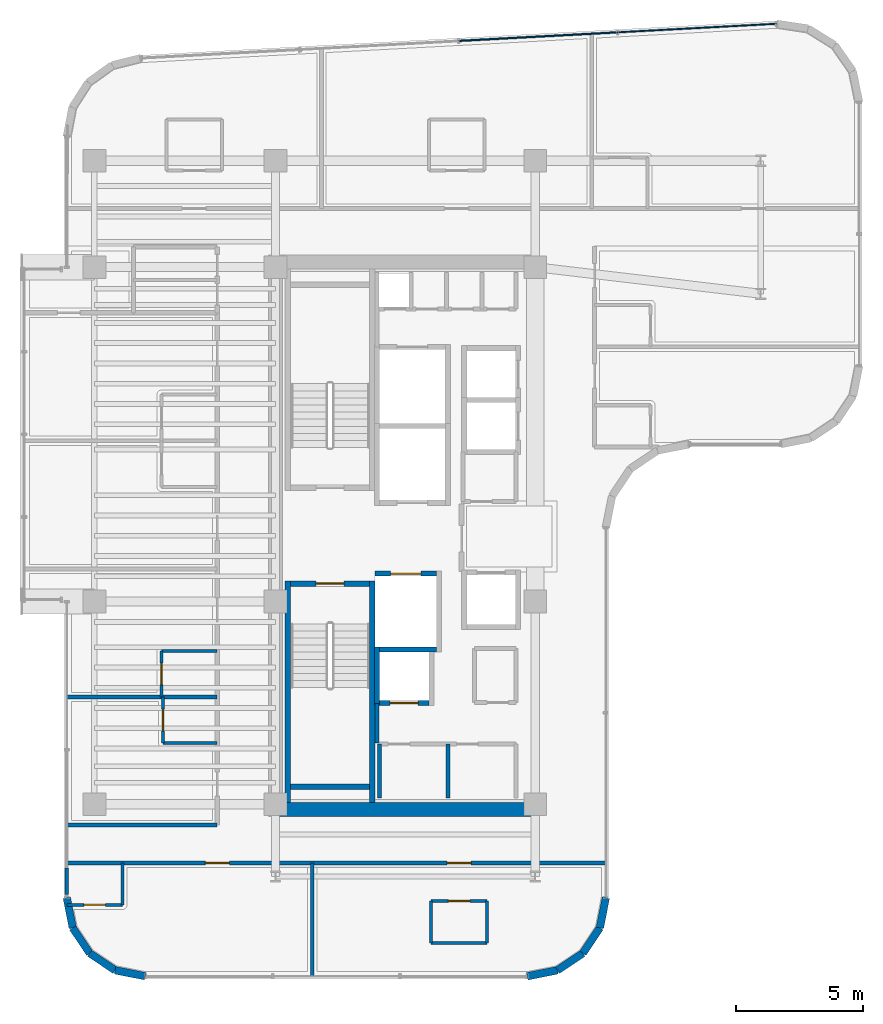
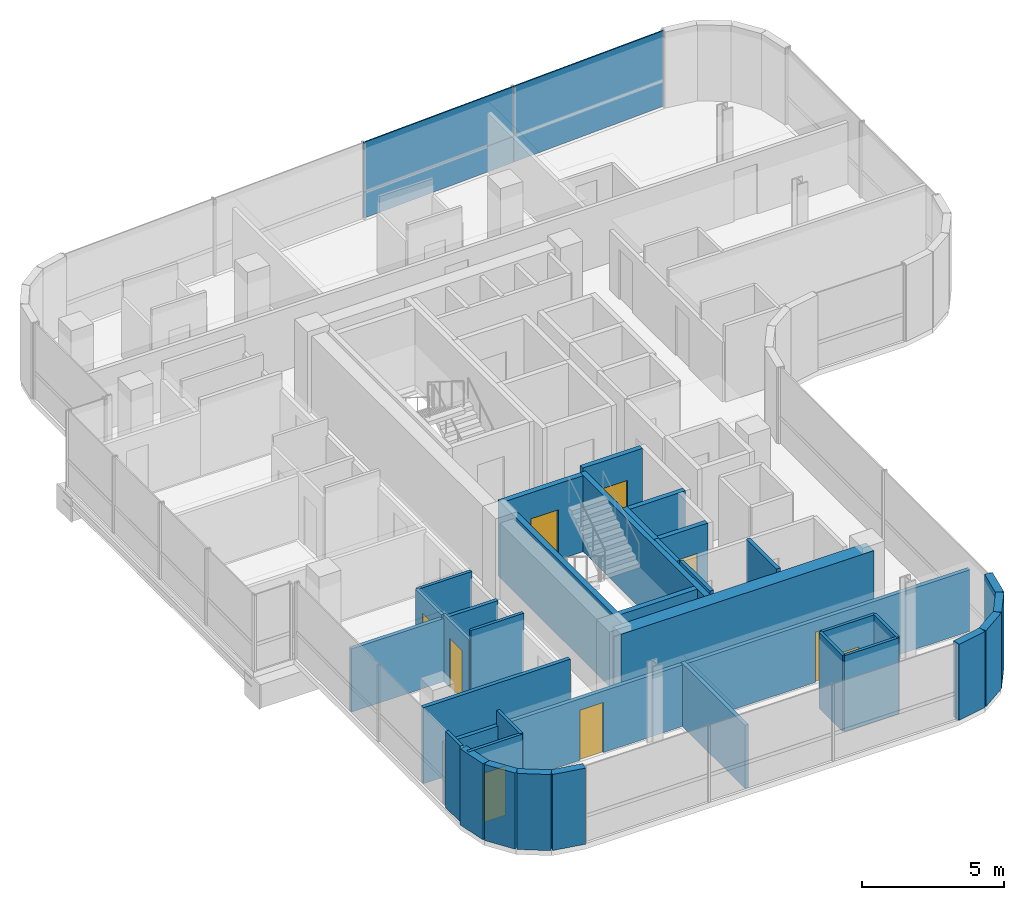
# One storey, part 16 of 22: 35 walls, 9 doors, 3 plates, 9 openings, 1 element without a shape of its own.
"""IFC4 building model written with IfcOpenShell, lengths in metres."""

from ifc_helpers import new_model, si_unit, direction, frame, frame_2d, origin, origin_2d, place, context, subcontext, project, spatial, rectangle, extrude, source, transform, mapped, material, layer, layer_set, type_object, element, fill, aggregate, save


model = new_model("IFC4")

# Units and contexts
model_context = context("Model", 3, precision=1e-05, world=origin(), true_north=direction((0.0, 1.0)))
body_context = subcontext(model_context, "Body", "Model", "MODEL_VIEW")
ifc_project = project(units=[si_unit("LENGTHUNIT", "METRE"), si_unit("AREAUNIT", "SQUARE_METRE"), si_unit("VOLUMEUNIT", "CUBIC_METRE"), si_unit("PLANEANGLEUNIT", "RADIAN"), si_unit("MASSUNIT", "GRAM", prefix="KILO")], contexts=[model_context])

# Site, building, storey
site_placement = place(None, origin())
site = spatial("IfcSite", under=ifc_project, at=site_placement, CompositionType="ELEMENT")
building_placement = place(site_placement, origin())
building = spatial("IfcBuilding", under=site, at=building_placement, Name="Valdorenza Pilgrim Sanctuary Tower", CompositionType="ELEMENT")
storey_placement = place(building_placement, frame((0.0, 0.0, 216.0)))
storey = spatial("IfcBuildingStorey", under=building, at=storey_placement, Name="L55", CompositionType="ELEMENT", Elevation=216.0)

# Curtain wall, plates
ifc_material_1 = material(Name="Curtain-wall IGU glazing", Category="glass")
curtain_wall_type = type_object("IfcCurtainWallType", Name="CW-SYS-02", PredefinedType="NOTDEFINED", material=ifc_material_1)
curtain_wall_placement = place(storey_placement, origin())
curtain_wall = element("IfcCurtainWall", 1, at=curtain_wall_placement, inside=storey, type_object=curtain_wall_type, Name="L55 Curtain Wall CW-L55-1-6", PredefinedType="NOTDEFINED")
ifc_material_2 = material(Name="Honed travertine limestone", Category="masonry")
ifc_layer_1 = layer(ifc_material_2, 0.050048828125, Name="Honed travertine limestone")
ifc_layer_set_1 = layer_set([ifc_layer_1], Name="Honed travertine limestone")
plate_type_1 = type_object("IfcPlateType", Name="CW-SPN-TRV", PredefinedType="USERDEFINED", material=ifc_layer_set_1)
shared_shape_1 = source(origin(), body_context, "Body", "SweptSolid", [
    extrude(rectangle(XDim=6.2587890625, YDim=0.06005859375, at=origin_2d()), origin(), (0.0, 0.0, 1.0), 1.10009765625),
])
plate_1_placement = place(storey_placement, frame((-12.281982421875, 19.699951171875, 0.010009765625), z_axis=(0.0, 0.0, 1.0), x_axis=(0.998547034311, 0.053887106711, 0.0)))
plate_1 = element("IfcPlate", 2, at=plate_1_placement, type_object=plate_type_1, Name="CW-L55-1-6 Travertine Spandrel 3", ObjectType="SPANDREL", PredefinedType="USERDEFINED", context=body_context, shape_type="MappedRepresentation", body=[
    mapped(shared_shape_1, transform((0.0, 0.0, 0.0), x_axis=(1.0, 0.0, 0.0), y_axis=(0.0, 1.0, 0.0), z_axis=(0.0, 0.0, 1.0), scale=1.0)),
])
ifc_material_3 = material(Name="Ceramic-fritted low-E IGU glazing", Category="glass")
ifc_layer_2 = layer(ifc_material_3, 0.035888671875, Name="Ceramic-fritted low-E IGU glazing")
ifc_layer_set_2 = layer_set([ifc_layer_2], Name="Ceramic-fritted low-E IGU glazing")
plate_type_2 = type_object("IfcPlateType", Name="CW-GLZ-IGU", PredefinedType="USERDEFINED", material=ifc_layer_set_2)
shared_shape_2 = source(origin(), body_context, "Body", "SweptSolid", [
    extrude(rectangle(XDim=6.2587890625, YDim=0.050048828125, at=origin_2d()), origin(), (0.0, 0.0, 1.0), 2.1201171875),
])
plate_2_placement = place(storey_placement, frame((-12.281982421875, 19.699951171875, 1.1298828125), z_axis=(0.0, 0.0, 1.0), x_axis=(0.998547034311, 0.053887106711, 0.0)))
plate_2 = element("IfcPlate", 3, at=plate_2_placement, type_object=plate_type_2, Name="CW-L55-1-6 Facade Panel 3", ObjectType="GLAZING", PredefinedType="USERDEFINED", context=body_context, shape_type="MappedRepresentation", body=[
    mapped(shared_shape_2, transform((0.0, 0.0, 0.0), x_axis=(1.0, 0.0, 0.0), y_axis=(0.0, 1.0, 0.0), z_axis=(0.0, 0.0, 1.0), scale=1.0)),
])
shared_shape_3 = source(origin(), body_context, "Body", "SweptSolid", [
    extrude(rectangle(XDim=6.2587890625, YDim=0.050048828125, at=origin_2d()), origin(), (0.0, 0.0, 1.0), 3.239990234375),
])
plate_3_placement = place(storey_placement, frame((-6.012451171875, 20.038330078125, 0.009765625), z_axis=(0.0, 0.0, 1.0), x_axis=(0.998547034311, 0.053887106711, 0.0)))
plate_3 = element("IfcPlate", 4, at=plate_3_placement, type_object=plate_type_2, Name="CW-L55-1-6 Full-Height Facade Panel 4", ObjectType="GLAZING", PredefinedType="USERDEFINED", context=body_context, shape_type="MappedRepresentation", body=[
    mapped(shared_shape_3, transform((0.0, 0.0, 0.0), x_axis=(1.0, 0.0, 0.0), y_axis=(0.0, 1.0, 0.0), z_axis=(0.0, 0.0, 1.0), scale=1.0)),
])
aggregate(curtain_wall, [plate_1, plate_2, plate_3])

# Walls
ifc_material_4 = material(Name="Acoustic twin-stud gypsum partition", Category="gypsum")
ifc_layer_3 = layer(ifc_material_4, 0.159912109375, Name="Acoustic twin-stud gypsum partition")
ifc_layer_set_3 = layer_set([ifc_layer_3], Name="Acoustic twin-stud gypsum partition")
wall_type_1 = type_object("IfcWallType", Name="WAL-COR-160", PredefinedType="PARTITIONING", material=ifc_layer_set_3)
wall_1_placement = place(storey_placement, frame((-18.64990234375, -8.179931640625, 0.0), z_axis=(0.0, 0.0, 1.0), x_axis=(0.0, 1.0, 0.0)))
element("IfcWall", 5, at=wall_1_placement, inside=storey, type_object=wall_type_1, Name="L55 Core A South Lift Hall West Wall", PredefinedType="PARTITIONING", context=body_context, shape_type="SweptSolid", body=[
    extrude(rectangle(XDim=1.559814453125, YDim=0.159912109375, at=frame_2d((0.77978515625, 0.0))), origin(), (0.0, 0.0, 1.0), 3.260009765625),
])
wall_2_placement = place(storey_placement, frame((-15.85009765625, -10.35009765625, 0.0), z_axis=(0.0, 0.0, 1.0), x_axis=(0.0, 1.0, 0.0)))
element("IfcWall", 6, at=wall_2_placement, inside=storey, type_object=wall_type_1, Name="L55 Freed Shaft 1 Split Wall", PredefinedType="PARTITIONING", context=body_context, shape_type="SweptSolid", body=[
    extrude(rectangle(XDim=2.130126953125, YDim=0.159912109375, at=frame_2d((1.06494140625, 0.0))), origin(), (0.0, 0.0, 1.0), 3.260009765625),
])

# Wall, openings, doors
wall_3_placement = place(storey_placement, frame((-30.889892578125, -12.919921875, 0.0), z_axis=(0.0, 0.0, 1.0), x_axis=(1.0, 0.0, 0.0)))
wall_3 = element("IfcWall", 7, at=wall_3_placement, inside=storey, type_object=wall_type_1, Name="L55 South Wing Corridor Wall", PredefinedType="PARTITIONING", context=body_context, shape_type="SweptSolid", body=[
    extrude(rectangle(XDim=21.27978515625, YDim=0.159912109375, at=frame_2d((10.639892578125, 0.0))), origin(), (0.0, 0.0, 1.0), 2.634033203125),
])
opening_1_placement = place(wall_3_placement, frame((5.469970703125, 0.0, 0.0)))
opening_1 = element("IfcOpeningElement", 8, at=opening_1_placement, cuts=wall_3, Name="Opening DR-UN1", PredefinedType="OPENING", context=body_context, shape_type="SweptSolid", body=[
    extrude(rectangle(XDim=0.949951171875, YDim=2.14990234375, at=frame_2d((0.47509765625, 1.074951171875))), frame((0.0, 0.0947265625, 0.0), z_axis=(0.0, -1.0, 0.0), x_axis=(1.0, 0.0, 0.0)), (0.0, 0.0, 1.0), 0.189697265625),
])
opening_2_placement = place(wall_3_placement, frame((15.010009765625, 0.0, 0.0)))
opening_2 = element("IfcOpeningElement", 9, at=opening_2_placement, cuts=wall_3, Name="Opening DR-UN1", PredefinedType="OPENING", context=body_context, shape_type="SweptSolid", body=[
    extrude(rectangle(XDim=0.949951171875, YDim=2.14990234375, at=frame_2d((0.47509765625, 1.074951171875))), frame((0.0, 0.0947265625, 0.0), z_axis=(0.0, -1.0, 0.0), x_axis=(1.0, 0.0, 0.0)), (0.0, 0.0, 1.0), 0.189697265625),
])
ifc_material_5 = material(Name="Solid-core European oak timber", Category="wood")
door_type_1 = type_object("IfcDoorType", Name="DR-UNIT-950", OperationType="NOTDEFINED", PredefinedType="DOOR", material=ifc_material_5)
door_1_placement = place(opening_1_placement, origin())
door_1 = element("IfcDoor", 10, at=door_1_placement, inside=storey, type_object=door_type_1, Name="L55 South Guest Room L55-S1 Entrance Door", OperationType="SINGLE_SWING_RIGHT", OverallHeight=2.14990234375, OverallWidth=0.949951171875, PredefinedType="DOOR", context=body_context, shape_type="SweptSolid", body=[
    extrude(rectangle(XDim=0.949951171875, YDim=2.14990234375, at=frame_2d((0.47509765625, 1.074951171875))), frame((0.0, 0.02490234375, 0.0), z_axis=(0.0, -1.0, 0.0), x_axis=(1.0, 0.0, 0.0)), (0.0, 0.0, 1.0), 0.050048828125),
])
fill(opening_1, door_1)
door_2_placement = place(opening_2_placement, origin())
door_2 = element("IfcDoor", 11, at=door_2_placement, inside=storey, type_object=door_type_1, Name="L55 South Guest Room L55-S2 Entrance Door", OperationType="SINGLE_SWING_RIGHT", OverallHeight=2.14990234375, OverallWidth=0.949951171875, PredefinedType="DOOR", context=body_context, shape_type="SweptSolid", body=[
    extrude(rectangle(XDim=0.949951171875, YDim=2.14990234375, at=frame_2d((0.47509765625, 1.074951171875))), frame((0.0, 0.02490234375, 0.0), z_axis=(0.0, -1.0, 0.0), x_axis=(1.0, 0.0, 0.0)), (0.0, 0.0, 1.0), 0.050048828125),
])
fill(opening_2, door_2)

# Walls
wall_4_placement = place(storey_placement, frame((-30.889892578125, -11.419921875, 0.0), z_axis=(0.0, 0.0, 1.0), x_axis=(1.0, 0.0, 0.0)))
element("IfcWall", 12, at=wall_4_placement, inside=storey, type_object=wall_type_1, Name="L55 South-West Corridor North Wall", PredefinedType="PARTITIONING", context=body_context, shape_type="SweptSolid", body=[
    extrude(rectangle(XDim=5.93994140625, YDim=0.159912109375, at=frame_2d((2.969970703125, 0.0))), origin(), (0.0, 0.0, 1.0), 3.260009765625),
])
ifc_material_6 = material(Name="Concrete C50/60", Category="concrete")
ifc_layer_4 = layer(ifc_material_6, 0.550048828125, Name="Concrete C50/60")
ifc_layer_set_4 = layer_set([ifc_layer_4], Name="Concrete C50/60")
wall_type_2 = type_object("IfcWallType", Name="WAL-COR-550", PredefinedType="SHEAR", material=ifc_layer_set_4)
wall_5_placement = place(storey_placement, frame((-22.64990234375, -10.800048828125, 0.0), z_axis=(0.0, 0.0, 1.0), x_axis=(1.0, 0.0, 0.0)))
element("IfcWall", 13, at=wall_5_placement, inside=storey, type_object=wall_type_2, Name="L55 Split Core A Shear Wall S", PredefinedType="SHEAR", context=body_context, shape_type="SweptSolid", body=[
    extrude(rectangle(XDim=10.25, YDim=0.550048828125, at=frame_2d((5.125, 0.0))), origin(), (0.0, 0.0, 1.0), 3.260009765625),
])
ifc_layer_5 = layer(ifc_material_2, 0.300048828125, Name="Honed travertine limestone")
ifc_layer_set_5 = layer_set([ifc_layer_5], Name="Honed travertine limestone")
wall_type_3 = type_object("IfcWallType", Name="WAL-EXT-300", PredefinedType="SOLIDWALL", material=ifc_layer_set_5)
wall_6_placement = place(storey_placement, frame((-9.610107421875, -14.289306640625, 0.0), z_axis=(0.0, 0.0, 1.0), x_axis=(-0.194996050505, -0.980804027463, 0.0)))
element("IfcWall", 14, at=wall_6_placement, inside=storey, type_object=wall_type_3, Name="L55 Rounded Wind-Corner Stone Pier 22", PredefinedType="SOLIDWALL", context=body_context, shape_type="SweptSolid", body=[
    extrude(rectangle(XDim=1.2158203125, YDim=0.300048828125, at=frame_2d((0.60791015625, 0.0))), origin(), (0.0, 0.0, 1.0), 3.260009765625),
])
for number, where, z_axis, x_axis, name in (
    (15, (-9.84716796875, -15.481689453125, 0.0), (0.0, 0.0, 1.0), (-0.555635100982, -0.831426265255, 0.0), "L55 Rounded Wind-Corner Stone Pier 23"),
    (16, (-10.5166015625, -16.4833984375, 0.0), (0.0, 0.0, 1.0), (-0.831426265255, -0.555635100982, 0.0), "L55 Rounded Wind-Corner Stone Pier 24"),
):
    element("IfcWall", number, at=place(storey_placement, frame(where, z_axis=z_axis, x_axis=x_axis)), inside=storey, type_object=wall_type_3, Name=name, PredefinedType="SOLIDWALL", context=body_context, shape_type="SweptSolid", body=[
        extrude(rectangle(XDim=1.204833984375, YDim=0.300048828125, at=frame_2d((0.6025390625, 0.0))), origin(), (0.0, 0.0, 1.0), 3.260009765625),
    ])
for number, where, z_axis, x_axis, name in (
    (17, (-11.518310546875, -17.15283203125, 0.0), (0.0, 0.0, 1.0), (-0.980804027463, -0.194996050505, 0.0), "L55 Rounded Wind-Corner Stone Pier 25"),
    (18, (-27.789306640625, -17.389892578125, 0.0), (0.0, 0.0, 1.0), (-0.980804027463, 0.194996050505, 0.0), "L55 Rounded Wind-Corner Stone Pier 27"),
):
    element("IfcWall", number, at=place(storey_placement, frame(where, z_axis=z_axis, x_axis=x_axis)), inside=storey, type_object=wall_type_3, Name=name, PredefinedType="SOLIDWALL", context=body_context, shape_type="SweptSolid", body=[
        extrude(rectangle(XDim=1.2158203125, YDim=0.300048828125, at=frame_2d((0.60791015625, 0.0))), origin(), (0.0, 0.0, 1.0), 3.260009765625),
    ])
for number, where, z_axis, x_axis, name in (
    (19, (-28.981689453125, -17.15283203125, 0.0), (0.0, 0.0, 1.0), (-0.831426265255, 0.555635100982, 0.0), "L55 Rounded Wind-Corner Stone Pier 28"),
    (20, (-29.9833984375, -16.4833984375, 0.0), (0.0, 0.0, 1.0), (-0.555635100982, 0.831426265255, 0.0), "L55 Rounded Wind-Corner Stone Pier 29"),
):
    element("IfcWall", number, at=place(storey_placement, frame(where, z_axis=z_axis, x_axis=x_axis)), inside=storey, type_object=wall_type_3, Name=name, PredefinedType="SOLIDWALL", context=body_context, shape_type="SweptSolid", body=[
        extrude(rectangle(XDim=1.204833984375, YDim=0.300048828125, at=frame_2d((0.6025390625, 0.0))), origin(), (0.0, 0.0, 1.0), 3.260009765625),
    ])
wall_7_placement = place(storey_placement, frame((-30.65283203125, -15.481689453125, 0.0), z_axis=(0.0, 0.0, 1.0), x_axis=(-0.194996050505, 0.980804027463, 0.0)))
element("IfcWall", 21, at=wall_7_placement, inside=storey, type_object=wall_type_3, Name="L55 Rounded Wind-Corner Stone Pier 30", PredefinedType="SOLIDWALL", context=body_context, shape_type="SweptSolid", body=[
    extrude(rectangle(XDim=1.2158203125, YDim=0.300048828125, at=frame_2d((0.60791015625, 0.0))), origin(), (0.0, 0.0, 1.0), 3.260009765625),
])
ifc_material_7 = material(Name="Moisture-resistant gypsum partition", Category="gypsum")
ifc_layer_6 = layer(ifc_material_7, 0.1201171875, Name="Moisture-resistant gypsum partition")
ifc_layer_set_6 = layer_set([ifc_layer_6], Name="Moisture-resistant gypsum partition")
wall_type_4 = type_object("IfcWallType", Name="WAL-INT-120", PredefinedType="PARTITIONING", material=ifc_layer_set_6)
wall_8_placement = place(storey_placement, frame((-27.087890625, -8.18505859375, 0.0), z_axis=(0.0, 0.0, 1.0), x_axis=(1.0, 0.0, 0.0)))
element("IfcWall", 22, at=wall_8_placement, inside=storey, type_object=wall_type_4, Name="L55 Pilgrim Guest Room L55-W1 En-suite South Wall", PredefinedType="PARTITIONING", context=body_context, shape_type="SweptSolid", body=[
    extrude(rectangle(XDim=2.137939453125, YDim=0.1201171875, at=frame_2d((1.06884765625, 0.0))), origin(), (0.0, 0.0, 1.0), 3.260009765625),
])

# Wall, opening, door
wall_9_placement = place(storey_placement, frame((-27.087890625, -8.18505859375, 0.0), z_axis=(0.0, 0.0, 1.0), x_axis=(0.0, 1.0, 0.0)))
wall_9 = element("IfcWall", 23, at=wall_9_placement, inside=storey, type_object=wall_type_4, Name="L55 Pilgrim Guest Room L55-W1 En-suite Door Wall", PredefinedType="PARTITIONING", context=body_context, shape_type="SweptSolid", body=[
    extrude(rectangle(XDim=1.820068359375, YDim=0.1201171875, at=frame_2d((0.91015625, 0.0))), origin(), (0.0, 0.0, 1.0), 2.839111328125),
])
opening_3_placement = place(wall_9_placement, frame((0.485107421875, 0.0, 0.0)))
opening_3 = element("IfcOpeningElement", 24, at=opening_3_placement, cuts=wall_9, Name="Opening DR-WC1", PredefinedType="OPENING", context=body_context, shape_type="SweptSolid", body=[
    extrude(rectangle(XDim=0.85009765625, YDim=2.10009765625, at=frame_2d((0.425048828125, 1.050048828125))), frame((0.0, 0.074951171875, 0.0), z_axis=(0.0, -1.0, 0.0), x_axis=(1.0, 0.0, 0.0)), (0.0, 0.0, 1.0), 0.14990234375),
])
ifc_material_8 = material(Name="Moisture-resistant lacquered timber", Category="wood")
door_type_2 = type_object("IfcDoorType", Name="DR-BATH-850", OperationType="NOTDEFINED", PredefinedType="DOOR", material=ifc_material_8)
door_3_placement = place(opening_3_placement, origin())
door_3 = element("IfcDoor", 25, at=door_3_placement, inside=storey, type_object=door_type_2, Name="L55 Pilgrim Guest Room L55-W1 En-suite Bathroom Door", OperationType="SINGLE_SWING_LEFT", OverallHeight=2.10009765625, OverallWidth=0.85009765625, PredefinedType="DOOR", context=body_context, shape_type="SweptSolid", body=[
    extrude(rectangle(XDim=0.85009765625, YDim=2.10009765625, at=frame_2d((0.425048828125, 1.050048828125))), frame((0.0, 0.02490234375, 0.0), z_axis=(0.0, -1.0, 0.0), x_axis=(1.0, 0.0, 0.0)), (0.0, 0.0, 1.0), 0.050048828125),
])
fill(opening_3, door_3)

# Wall
wall_10_placement = place(storey_placement, frame((-27.14990234375, -4.544921875, 0.0), z_axis=(0.0, 0.0, 1.0), x_axis=(1.0, 0.0, 0.0)))
element("IfcWall", 26, at=wall_10_placement, inside=storey, type_object=wall_type_4, Name="L55 Pilgrim Guest Room L55-W2 En-suite North Wall", PredefinedType="PARTITIONING", context=body_context, shape_type="SweptSolid", body=[
    extrude(rectangle(XDim=2.199951171875, YDim=0.1201171875, at=frame_2d((1.10009765625, 0.0))), origin(), (0.0, 0.0, 1.0), 2.839111328125),
])

# Wall, opening, door
wall_11_placement = place(storey_placement, frame((-27.14990234375, -6.364990234375, 0.0), z_axis=(0.0, 0.0, 1.0), x_axis=(0.0, 1.0, 0.0)))
wall_11 = element("IfcWall", 27, at=wall_11_placement, inside=storey, type_object=wall_type_4, Name="L55 Pilgrim Guest Room L55-W2 En-suite Door Wall", PredefinedType="PARTITIONING", context=body_context, shape_type="SweptSolid", body=[
    extrude(rectangle(XDim=1.820068359375, YDim=0.1201171875, at=frame_2d((0.91015625, 0.0))), origin(), (0.0, 0.0, 1.0), 2.839111328125),
])
opening_4_placement = place(wall_11_placement, frame((0.485107421875, 0.0, 0.0)))
opening_4 = element("IfcOpeningElement", 28, at=opening_4_placement, cuts=wall_11, Name="Opening DR-WC1", PredefinedType="OPENING", context=body_context, shape_type="SweptSolid", body=[
    extrude(rectangle(XDim=0.85009765625, YDim=2.10009765625, at=frame_2d((0.425048828125, 1.050048828125))), frame((0.0, 0.074951171875, 0.0), z_axis=(0.0, -1.0, 0.0), x_axis=(1.0, 0.0, 0.0)), (0.0, 0.0, 1.0), 0.14990234375),
])
door_4_placement = place(opening_4_placement, origin())
door_4 = element("IfcDoor", 29, at=door_4_placement, inside=storey, type_object=door_type_2, Name="L55 Pilgrim Guest Room L55-W2 En-suite Bathroom Door", OperationType="SINGLE_SWING_LEFT", OverallHeight=2.10009765625, OverallWidth=0.85009765625, PredefinedType="DOOR", context=body_context, shape_type="SweptSolid", body=[
    extrude(rectangle(XDim=0.85009765625, YDim=2.10009765625, at=frame_2d((0.425048828125, 1.050048828125))), frame((0.0, 0.02490234375, 0.0), z_axis=(0.0, -1.0, 0.0), x_axis=(1.0, 0.0, 0.0)), (0.0, 0.0, 1.0), 0.050048828125),
])
fill(opening_4, door_4)

# Wall
wall_12_placement = place(storey_placement, frame((-28.68994140625, -14.570068359375, 0.0), z_axis=(0.0, 0.0, 1.0), x_axis=(0.0, 1.0, 0.0)))
element("IfcWall", 30, at=wall_12_placement, inside=storey, type_object=wall_type_4, Name="L55 South Guest Room L55-S1 En-suite East Wall", PredefinedType="PARTITIONING", context=body_context, shape_type="SweptSolid", body=[
    extrude(rectangle(XDim=1.650146484375, YDim=0.1201171875, at=frame_2d((0.8251953125, 0.0))), origin(), (0.0, 0.0, 1.0), 3.260009765625),
])

# Wall, opening, door
wall_13_placement = place(storey_placement, frame((-30.889892578125, -14.570068359375, 0.0), z_axis=(0.0, 0.0, 1.0), x_axis=(1.0, 0.0, 0.0)))
wall_13 = element("IfcWall", 31, at=wall_13_placement, inside=storey, type_object=wall_type_4, Name="L55 South Guest Room L55-S1 En-suite Door Wall", PredefinedType="PARTITIONING", context=body_context, shape_type="SweptSolid", body=[
    extrude(rectangle(XDim=2.199951171875, YDim=0.1201171875, at=frame_2d((1.10009765625, 0.0))), origin(), (0.0, 0.0, 1.0), 3.260009765625),
])
opening_5_placement = place(wall_13_placement, frame((0.675048828125, 0.0, 0.0)))
opening_5 = element("IfcOpeningElement", 32, at=opening_5_placement, cuts=wall_13, Name="Opening DR-WC1", PredefinedType="OPENING", context=body_context, shape_type="SweptSolid", body=[
    extrude(rectangle(XDim=0.85009765625, YDim=2.10009765625, at=frame_2d((0.425048828125, 1.050048828125))), frame((0.0, 0.074951171875, 0.0), z_axis=(0.0, -1.0, 0.0), x_axis=(1.0, 0.0, 0.0)), (0.0, 0.0, 1.0), 0.14990234375),
])
door_5_placement = place(opening_5_placement, origin())
door_5 = element("IfcDoor", 33, at=door_5_placement, inside=storey, type_object=door_type_2, Name="L55 South Guest Room L55-S1 En-suite Bathroom Door", OperationType="SINGLE_SWING_LEFT", OverallHeight=2.10009765625, OverallWidth=0.85009765625, PredefinedType="DOOR", context=body_context, shape_type="SweptSolid", body=[
    extrude(rectangle(XDim=0.85009765625, YDim=2.10009765625, at=frame_2d((0.425048828125, 1.050048828125))), frame((0.0, 0.02490234375, 0.0), z_axis=(0.0, -1.0, 0.0), x_axis=(1.0, 0.0, 0.0)), (0.0, 0.0, 1.0), 0.050048828125),
])
fill(opening_5, door_5)

# Walls
wall_14_placement = place(storey_placement, frame((-30.889892578125, -14.166748046875, 0.0), z_axis=(0.0, 0.0, 1.0), x_axis=(0.0, 1.0, 0.0)))
element("IfcWall", 34, at=wall_14_placement, inside=storey, type_object=wall_type_4, Name="L55 SW-G1-ENS Enclosure Wall W", PredefinedType="PARTITIONING", context=body_context, shape_type="SweptSolid", body=[
    extrude(rectangle(XDim=1.046630859375, YDim=0.1201171875, at=frame_2d((0.5234375, 0.0))), origin(), (0.0, 0.0, 1.0), 3.260009765625),
])
for number, where, z_axis, x_axis, name in (
    (35, (-16.5048828125, -16.070068359375, 0.0), (0.0, 0.0, 1.0), (0.0, 1.0, 0.0), "L55 South Guest Room L55-S2 En-suite West Wall"),
    (36, (-14.304931640625, -16.070068359375, 0.0), (0.0, 0.0, 1.0), (0.0, 1.0, 0.0), "L55 South Guest Room L55-S2 En-suite East Wall"),
):
    element("IfcWall", number, at=place(storey_placement, frame(where, z_axis=z_axis, x_axis=x_axis)), inside=storey, type_object=wall_type_4, Name=name, PredefinedType="PARTITIONING", context=body_context, shape_type="SweptSolid", body=[
        extrude(rectangle(XDim=1.650146484375, YDim=0.1201171875, at=frame_2d((0.8251953125, 0.0))), origin(), (0.0, 0.0, 1.0), 3.260009765625),
    ])
wall_15_placement = place(storey_placement, frame((-16.5048828125, -16.070068359375, 0.0), z_axis=(0.0, 0.0, 1.0), x_axis=(1.0, 0.0, 0.0)))
element("IfcWall", 37, at=wall_15_placement, inside=storey, type_object=wall_type_4, Name="L55 South Guest Room L55-S2 En-suite Back Wall", PredefinedType="PARTITIONING", context=body_context, shape_type="SweptSolid", body=[
    extrude(rectangle(XDim=2.199951171875, YDim=0.1201171875, at=frame_2d((1.10009765625, 0.0))), origin(), (0.0, 0.0, 1.0), 3.260009765625),
])

# Wall, opening, door
wall_16_placement = place(storey_placement, frame((-16.5048828125, -14.419921875, 0.0), z_axis=(0.0, 0.0, 1.0), x_axis=(1.0, 0.0, 0.0)))
wall_16 = element("IfcWall", 38, at=wall_16_placement, inside=storey, type_object=wall_type_4, Name="L55 South Guest Room L55-S2 En-suite Door Wall", PredefinedType="PARTITIONING", context=body_context, shape_type="SweptSolid", body=[
    extrude(rectangle(XDim=2.199951171875, YDim=0.1201171875, at=frame_2d((1.10009765625, 0.0))), origin(), (0.0, 0.0, 1.0), 3.260009765625),
])
opening_6_placement = place(wall_16_placement, frame((0.675048828125, 0.0, 0.0)))
opening_6 = element("IfcOpeningElement", 39, at=opening_6_placement, cuts=wall_16, Name="Opening DR-WC1", PredefinedType="OPENING", context=body_context, shape_type="SweptSolid", body=[
    extrude(rectangle(XDim=0.85009765625, YDim=2.10009765625, at=frame_2d((0.425048828125, 1.050048828125))), frame((0.0, 0.074951171875, 0.0), z_axis=(0.0, -1.0, 0.0), x_axis=(1.0, 0.0, 0.0)), (0.0, 0.0, 1.0), 0.14990234375),
])
door_6_placement = place(opening_6_placement, origin())
door_6 = element("IfcDoor", 40, at=door_6_placement, inside=storey, type_object=door_type_2, Name="L55 South Guest Room L55-S2 En-suite Bathroom Door", OperationType="SINGLE_SWING_LEFT", OverallHeight=2.10009765625, OverallWidth=0.85009765625, PredefinedType="DOOR", context=body_context, shape_type="SweptSolid", body=[
    extrude(rectangle(XDim=0.85009765625, YDim=2.10009765625, at=frame_2d((0.425048828125, 1.050048828125))), frame((0.0, 0.02490234375, 0.0), z_axis=(0.0, -1.0, 0.0), x_axis=(1.0, 0.0, 0.0)), (0.0, 0.0, 1.0), 0.050048828125),
])
fill(opening_6, door_6)

# Wall
ifc_material_9 = material(Name="Autoclaved aerated concrete blockwork", Category="masonry")
ifc_layer_7 = layer(ifc_material_9, 0.199951171875, Name="Autoclaved aerated concrete blockwork")
ifc_layer_set_7 = layer_set([ifc_layer_7], Name="Autoclaved aerated concrete blockwork")
wall_type_5 = type_object("IfcWallType", Name="WAL-SHF-200", PredefinedType="MOVABLE", material=ifc_layer_set_7)
wall_17_placement = place(storey_placement, frame((-18.719970703125, -4.5, 0.0), z_axis=(0.0, 0.0, 1.0), x_axis=(1.0, 0.0, 0.0)))
element("IfcWall", 41, at=wall_17_placement, inside=storey, type_object=wall_type_5, Name="L55 Lift FFL-02 Hoistway Wall South", PredefinedType="MOVABLE", context=body_context, shape_type="SweptSolid", body=[
    extrude(rectangle(XDim=2.419921875, YDim=0.199951171875, at=frame_2d((1.2099609375, 0.0))), origin(), (0.0, 0.0, 1.0), 3.260009765625),
])

# Wall, opening, door
wall_18_placement = place(storey_placement, frame((-18.719970703125, -1.5, 0.0), z_axis=(0.0, 0.0, 1.0), x_axis=(1.0, 0.0, 0.0)))
wall_18 = element("IfcWall", 42, at=wall_18_placement, inside=storey, type_object=wall_type_5, Name="L55 Lift FFL-02 Hoistway Wall North", PredefinedType="MOVABLE", context=body_context, shape_type="SweptSolid", body=[
    extrude(rectangle(XDim=2.419921875, YDim=0.199951171875, at=frame_2d((1.2099609375, 0.0))), origin(), (0.0, 0.0, 1.0), 3.260009765625),
])
opening_7_placement = place(wall_18_placement, frame((0.610107421875, 0.0, 0.0)))
opening_7 = element("IfcOpeningElement", 43, at=opening_7_placement, cuts=wall_18, Name="Opening LD-02", PredefinedType="OPENING", context=body_context, shape_type="SweptSolid", body=[
    extrude(rectangle(XDim=1.199951171875, YDim=2.10009765625, at=frame_2d((0.60009765625, 1.050048828125))), frame((0.0, 0.11474609375, 0.0), z_axis=(0.0, -1.0, 0.0), x_axis=(1.0, 0.0, 0.0)), (0.0, 0.0, 1.0), 0.229736328125),
])
ifc_material_10 = material(Name="Brushed stainless steel Grade 316", Category="steel")
door_type_3 = type_object("IfcDoorType", Name="DR-LFT-1200", OperationType="DOUBLE_DOOR_SLIDING", PredefinedType="DOOR", material=ifc_material_10)
door_7_placement = place(opening_7_placement, origin())
door_7 = element("IfcDoor", 44, at=door_7_placement, inside=storey, type_object=door_type_3, Name="L55 Lift FFL-02 Sliding Landing Door", OperationType="DOUBLE_DOOR_SLIDING", OverallHeight=2.10009765625, OverallWidth=1.199951171875, PredefinedType="DOOR", context=body_context, shape_type="SweptSolid", body=[
    extrude(rectangle(XDim=1.199951171875, YDim=2.10009765625, at=frame_2d((0.60009765625, 1.050048828125))), frame((0.0, 0.02490234375, 0.0), z_axis=(0.0, -1.0, 0.0), x_axis=(1.0, 0.0, 0.0)), (0.0, 0.0, 1.0), 0.050048828125),
])
fill(opening_7, door_7)

# Wall
wall_19_placement = place(storey_placement, frame((-18.64990234375, -6.699951171875, 0.0), z_axis=(0.0, 0.0, 1.0), x_axis=(0.0, 1.0, 0.0)))
element("IfcWall", 45, at=wall_19_placement, inside=storey, type_object=wall_type_5, Name="L55 Lift PL-11 Hoistway Wall West", PredefinedType="MOVABLE", context=body_context, shape_type="SweptSolid", body=[
    extrude(rectangle(XDim=2.300048828125, YDim=0.199951171875, at=frame_2d((1.14990234375, 0.0))), origin(), (0.0, 0.0, 1.0), 3.260009765625),
])

# Wall, opening, door
wall_20_placement = place(storey_placement, frame((-18.550048828125, -6.60009765625, 0.0), z_axis=(0.0, 0.0, 1.0), x_axis=(1.0, 0.0, 0.0)))
wall_20 = element("IfcWall", 46, at=wall_20_placement, inside=storey, type_object=wall_type_5, Name="L55 Lift PL-11 Hoistway Wall South", PredefinedType="MOVABLE", context=body_context, shape_type="SweptSolid", body=[
    extrude(rectangle(XDim=1.949951171875, YDim=0.199951171875, at=frame_2d((0.97509765625, 0.0))), origin(), (0.0, 0.0, 1.0), 3.260009765625),
])
opening_8_placement = place(wall_20_placement, frame((0.425048828125, 0.0, 0.0)))
opening_8 = element("IfcOpeningElement", 47, at=opening_8_placement, cuts=wall_20, Name="Opening LD-01", PredefinedType="OPENING", context=body_context, shape_type="SweptSolid", body=[
    extrude(rectangle(XDim=1.10009765625, YDim=2.10009765625, at=frame_2d((0.550048828125, 1.050048828125))), frame((0.0, 0.11474609375, 0.0), z_axis=(0.0, -1.0, 0.0), x_axis=(1.0, 0.0, 0.0)), (0.0, 0.0, 1.0), 0.229736328125),
])
door_type_4 = type_object("IfcDoorType", Name="DR-LFT-1100", OperationType="DOUBLE_DOOR_SLIDING", PredefinedType="DOOR", material=ifc_material_10)
door_8_placement = place(opening_8_placement, origin())
door_8 = element("IfcDoor", 48, at=door_8_placement, inside=storey, type_object=door_type_4, Name="L55 Lift PL-11 Sliding Landing Door", OperationType="DOUBLE_DOOR_SLIDING", OverallHeight=2.10009765625, OverallWidth=1.10009765625, PredefinedType="DOOR", context=body_context, shape_type="SweptSolid", body=[
    extrude(rectangle(XDim=1.10009765625, YDim=2.10009765625, at=frame_2d((0.550048828125, 1.050048828125))), frame((0.0, 0.02490234375, 0.0), z_axis=(0.0, -1.0, 0.0), x_axis=(1.0, 0.0, 0.0)), (0.0, 0.0, 1.0), 0.050048828125),
])
fill(opening_8, door_8)

# Walls
ifc_material_11 = material(Name="Concrete C40/50", Category="concrete")
ifc_layer_8 = layer(ifc_material_11, 0.219970703125, Name="Concrete C40/50")
ifc_layer_set_8 = layer_set([ifc_layer_8], Name="Concrete C40/50")
wall_type_6 = type_object("IfcWallType", Name="WAL-STR-SHF-220", PredefinedType="SHEAR", material=ifc_layer_set_8)
for number, where, z_axis, x_axis, name in (
    (49, (-22.159912109375, -10.52490234375, 0.0), (0.0, 0.0, 1.0), (0.0, 1.0, 0.0), "L55 ST-A2 Structural Stairwell Wall W"),
    (50, (-18.830078125, -10.52490234375, 0.0), (0.0, 0.0, 1.0), (0.0, 1.0, 0.0), "L55 ST-A2 Structural Stairwell Wall E"),
):
    element("IfcWall", number, at=place(storey_placement, frame(where, z_axis=z_axis, x_axis=x_axis)), inside=storey, type_object=wall_type_6, Name=name, PredefinedType="SHEAR", context=body_context, shape_type="SweptSolid", body=[
        extrude(rectangle(XDim=8.744873046875, YDim=0.219970703125, at=frame_2d((4.37255859375, 0.0))), origin(), (0.0, 0.0, 1.0), 3.260009765625),
    ])
wall_21_placement = place(storey_placement, frame((-22.050048828125, -9.909912109375, 0.0), z_axis=(0.0, 0.0, 1.0), x_axis=(1.0, 0.0, 0.0)))
element("IfcWall", 51, at=wall_21_placement, inside=storey, type_object=wall_type_6, Name="L55 ST-A2 Structural Stairwell Wall S", PredefinedType="SHEAR", context=body_context, shape_type="SweptSolid", body=[
    extrude(rectangle(XDim=3.110107421875, YDim=0.219970703125, at=frame_2d((1.55517578125, 0.0))), origin(), (0.0, 0.0, 1.0), 3.260009765625),
])

# Wall, opening, door
wall_22_placement = place(storey_placement, frame((-22.050048828125, -1.889892578125, 0.0), z_axis=(0.0, 0.0, 1.0), x_axis=(1.0, 0.0, 0.0)))
wall_22 = element("IfcWall", 52, at=wall_22_placement, inside=storey, type_object=wall_type_6, Name="L55 ST-A2 Structural Stairwell Wall N", PredefinedType="SHEAR", context=body_context, shape_type="SweptSolid", body=[
    extrude(rectangle(XDim=3.110107421875, YDim=0.219970703125, at=frame_2d((1.55517578125, 0.0))), origin(), (0.0, 0.0, 1.0), 3.260009765625),
])
opening_9_placement = place(wall_22_placement, frame((1.0, 0.0, 0.0)))
opening_9 = element("IfcOpeningElement", 53, at=opening_9_placement, cuts=wall_22, Name="Opening DR-ST1", PredefinedType="OPENING", context=body_context, shape_type="SweptSolid", body=[
    extrude(rectangle(XDim=1.10009765625, YDim=2.14990234375, at=frame_2d((0.550048828125, 1.074951171875))), frame((0.0, 0.125, 0.0), z_axis=(0.0, -1.0, 0.0), x_axis=(1.0, 0.0, 0.0)), (0.0, 0.0, 1.0), 0.249755859375),
])
ifc_material_12 = material(Name="Painted galvanized steel", Category="steel")
door_type_5 = type_object("IfcDoorType", Name="DR-STAIR-1100", OperationType="NOTDEFINED", PredefinedType="DOOR", material=ifc_material_12)
door_9_placement = place(opening_9_placement, origin())
door_9 = element("IfcDoor", 54, at=door_9_placement, inside=storey, type_object=door_type_5, Name="L55 Exit Stair ST-A2 Door", OperationType="SINGLE_SWING_RIGHT", OverallHeight=2.14990234375, OverallWidth=1.10009765625, PredefinedType="DOOR", context=body_context, shape_type="SweptSolid", body=[
    extrude(rectangle(XDim=1.10009765625, YDim=2.14990234375, at=frame_2d((0.550048828125, 1.074951171875))), frame((0.0, 0.02490234375, 0.0), z_axis=(0.0, -1.0, 0.0), x_axis=(1.0, 0.0, 0.0)), (0.0, 0.0, 1.0), 0.050048828125),
])
fill(opening_9, door_9)

# Walls
ifc_layer_9 = layer(ifc_material_4, 0.14990234375, Name="Acoustic twin-stud gypsum partition")
ifc_layer_set_9 = layer_set([ifc_layer_9], Name="Acoustic twin-stud gypsum partition")
wall_type_7 = type_object("IfcWallType", Name="WAL-UNT-150", PredefinedType="PARTITIONING", material=ifc_layer_set_9)
wall_23_placement = place(storey_placement, frame((-18.550048828125, -10.35009765625, 0.0), z_axis=(0.0, 0.0, 1.0), x_axis=(0.0, 1.0, 0.0)))
element("IfcWall", 55, at=wall_23_placement, inside=storey, type_object=wall_type_7, Name="L55 Freed Shaft 1 West Wall", PredefinedType="PARTITIONING", context=body_context, shape_type="SweptSolid", body=[
    extrude(rectangle(XDim=2.130126953125, YDim=0.14990234375, at=frame_2d((1.06494140625, 0.0))), origin(), (0.0, 0.0, 1.0), 3.260009765625),
])
wall_24_placement = place(storey_placement, frame((-30.889892578125, -6.364990234375, 0.0), z_axis=(0.0, 0.0, 1.0), x_axis=(1.0, 0.0, 0.0)))
element("IfcWall", 56, at=wall_24_placement, inside=storey, type_object=wall_type_7, Name="L55 West Demising 1", PredefinedType="PARTITIONING", context=body_context, shape_type="SweptSolid", body=[
    extrude(rectangle(XDim=5.93994140625, YDim=0.14990234375, at=frame_2d((2.969970703125, 0.0))), origin(), (0.0, 0.0, 1.0), 2.7060546875),
])
wall_25_placement = place(storey_placement, frame((-21.199951171875, -17.389892578125, 0.0), z_axis=(0.0, 0.0, 1.0), x_axis=(0.0, 1.0, 0.0)))
element("IfcWall", 57, at=wall_25_placement, inside=storey, type_object=wall_type_7, Name="L55 South Demising 1", PredefinedType="PARTITIONING", context=body_context, shape_type="SweptSolid", body=[
    extrude(rectangle(XDim=4.469970703125, YDim=0.14990234375, at=frame_2d((2.23486328125, 0.0))), origin(), (0.0, 0.0, 1.0), 2.7060546875),
])

save(model, "model.ifc")
